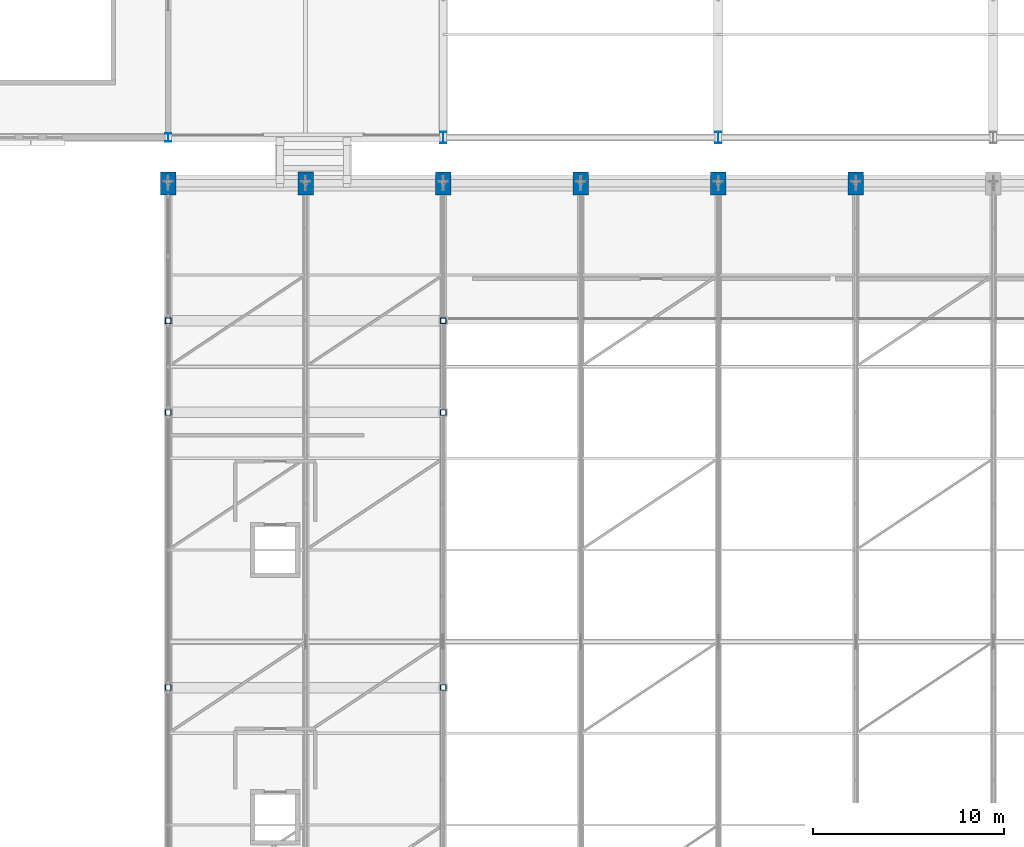
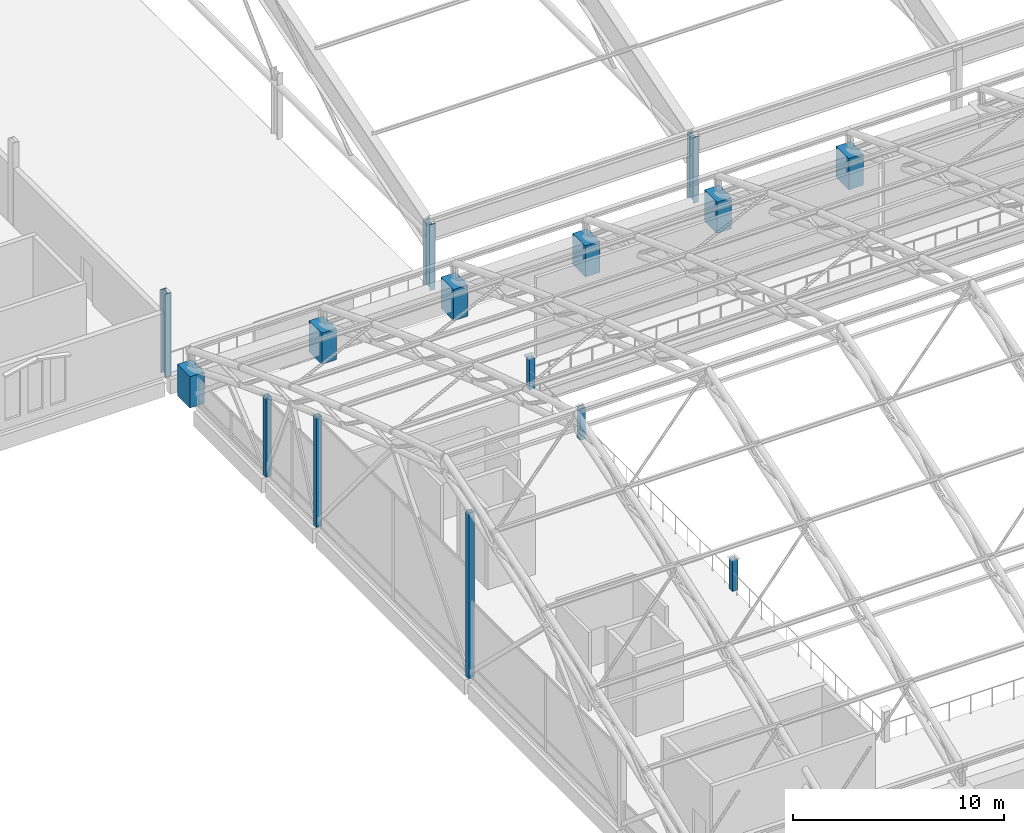
# One storey, part 7 of 116: 15 columns.
"""IFC4 building model written with IfcOpenShell, lengths in metres."""

import ifcopenshell
import ifcopenshell.guid

model = None  # the IFC model being written
_history = None  # IfcOwnerHistory: only IFC2X3 demands one
_inside = {}  # id of a spatial element -> (the spatial element, [elements in it])
_under = {}  # id of a project, library or spatial element -> (it, [spatial elements below it])
_declared = {}  # id of a project -> (the project, [libraries it declares])
_typed = {}  # id of a type object -> (the type object, [elements of that type])
_made_of = {}  # id of a material, layer set ... -> (it, [elements and type objects made of it])


def new_model(schema):
    """Start an empty IFC model of exactly this schema.

    Asked for "IFC4X3", IfcOpenShell would pick the latest addendum, in which some entities
    have other attributes; the version numbers below select the first issue.
    IFC2X3 requires an IfcOwnerHistory on every rooted entity: one is made here for all.
    """
    global model, _history
    if schema == "IFC4X3":
        model = ifcopenshell.file(schema_version=(4, 3, 0, 0))
    else:
        model = ifcopenshell.file(schema=schema)
    _inside.clear()
    _under.clear()
    _declared.clear()
    _typed.clear()
    _made_of.clear()
    _history = None
    if model.schema == "IFC2X3":
        org = make("IfcOrganization", Name="unknown")
        user = make(
            "IfcPersonAndOrganization",
            ThePerson=make("IfcPerson", FamilyName="unknown"),
            TheOrganization=org,
        )
        app = make(
            "IfcApplication",
            ApplicationDeveloper=org,
            Version="unknown",
            ApplicationFullName="unknown",
            ApplicationIdentifier="unknown",
        )
        _history = make(
            "IfcOwnerHistory",
            OwningUser=user,
            OwningApplication=app,
            ChangeAction="ADDED",
            CreationDate=0,
        )
    return model


def make(cls, **values):
    """One entity of the class cls with the attributes given. An attribute that is None is left unset."""
    return model.create_entity(
        cls, **{name: value for name, value in values.items() if value is not None}
    )


def rooted(cls, **values):
    """An entity with a GlobalId (a new one), such as an element, a storey or a relation."""
    return make(cls, GlobalId=ifcopenshell.guid.new(), OwnerHistory=_history, **values)


def si_unit(unit_type, name, prefix=None):
    """IfcSIUnit, for example si_unit("LENGTHUNIT", "METRE", prefix="MILLI")."""
    return make("IfcSIUnit", UnitType=unit_type, Prefix=prefix, Name=name)


def assignment(units):
    """IfcUnitAssignment: the units of a project."""
    return None if units is None else make("IfcUnitAssignment", Units=units)


def point(xyz):
    """IfcCartesianPoint."""
    return None if xyz is None else make("IfcCartesianPoint", Coordinates=xyz)


def direction(xyz):
    """IfcDirection."""
    return None if xyz is None else make("IfcDirection", DirectionRatios=xyz)


def frame(location, z_axis=None, x_axis=None):
    """IfcAxis2Placement3D, a coordinate frame: its origin and axes. An axis left out is left unset."""
    return make(
        "IfcAxis2Placement3D",
        Location=point(location),
        Axis=direction(z_axis),
        RefDirection=direction(x_axis),
    )


def frame_2d(location, x_axis=None):
    """IfcAxis2Placement2D, a coordinate frame in the plane: its origin and x axis."""
    return make(
        "IfcAxis2Placement2D", Location=point(location), RefDirection=direction(x_axis)
    )


def origin():
    """The frame at (0, 0, 0) with its axes left unset."""
    return frame((0.0, 0.0, 0.0))


def origin_2d():
    """The frame at (0, 0) in the plane with its x axis left unset."""
    return frame_2d((0.0, 0.0))


def place(relative_to, where):
    """IfcLocalPlacement: puts the frame where relative to a parent placement (None: the world)."""
    return make(
        "IfcLocalPlacement", PlacementRelTo=relative_to, RelativePlacement=where
    )


def context(
    kind, dimensions, precision=None, world=None, true_north=None, identifier=None
):
    """IfcGeometricRepresentationContext, for example the 3D "Model" context."""
    return make(
        "IfcGeometricRepresentationContext",
        ContextIdentifier=identifier,
        ContextType=kind,
        CoordinateSpaceDimension=dimensions,
        Precision=precision,
        WorldCoordinateSystem=world,
        TrueNorth=true_north,
    )


def subcontext(parent, identifier, kind, view, scale=None):
    """IfcGeometricRepresentationSubContext, for example "Body" below "Model"."""
    return make(
        "IfcGeometricRepresentationSubContext",
        ContextIdentifier=identifier,
        ContextType=kind,
        ParentContext=parent,
        TargetScale=scale,
        TargetView=view,
    )


def project(units=None, contexts=None):
    """IfcProject with its units and contexts."""
    return rooted(
        "IfcProject",
        Name="project",
        RepresentationContexts=contexts,
        UnitsInContext=assignment(units),
    )


def spatial(cls, under=None, at=None, **own):
    """A site, building, storey or space (cls), placed at a placement, below another one or the project."""
    s = rooted(cls, ObjectPlacement=at, **own)
    if under is not None:
        _under.setdefault(under.id(), (under, []))[1].append(s)
    return s


def profile(cls, at=None, kind="AREA", **sizes):
    """A parametric profile (cls). Its sizes go by their IFC names, for example OverallWidth=200.0."""
    return make(cls, ProfileType=kind, Position=at, **sizes)


def rectangle(**sizes):
    """IfcRectangleProfileDef."""
    return profile("IfcRectangleProfileDef", **sizes)


def hollow_rectangle(**sizes):
    """IfcRectangleHollowProfileDef."""
    return profile("IfcRectangleHollowProfileDef", **sizes)


def i_section(**sizes):
    """IfcIShapeProfileDef."""
    return profile("IfcIShapeProfileDef", **sizes)


def extrude(swept, where, along, depth):
    """IfcExtrudedAreaSolid: the profile swept, set in the frame where, extruded along a direction by depth."""
    return make(
        "IfcExtrudedAreaSolid",
        SweptArea=swept,
        Position=where,
        ExtrudedDirection=direction(along),
        Depth=depth,
    )


def shape(context_of_items, identifier, shape_type, items):
    """IfcShapeRepresentation: the items that make up one representation, for example the "Body"."""
    return make(
        "IfcShapeRepresentation",
        ContextOfItems=context_of_items,
        RepresentationIdentifier=identifier,
        RepresentationType=shape_type,
        Items=items,
    )


def material(Name=None, Category=None):
    """IfcMaterial."""
    return make("IfcMaterial", Name=Name, Category=Category)


def material_profile(
    of_material, cross_section, Name=None, Category=None, Priority=None
):
    """IfcMaterialProfile: a cross section and its material."""
    return make(
        "IfcMaterialProfile",
        Name=Name,
        Material=of_material,
        Profile=cross_section,
        Priority=Priority,
        Category=Category,
    )


def profile_set(profiles, Name=None, composite=None):
    """IfcMaterialProfileSet."""
    return make(
        "IfcMaterialProfileSet",
        Name=Name,
        MaterialProfiles=profiles,
        CompositeProfile=composite,
    )


def made_of(thing, what):
    """Note that an element or type object is made of a material, layer set ...; save() writes the relation."""
    if what is not None:
        _made_of.setdefault(what.id(), (what, []))[1].append(thing)
    return thing


def type_object(cls, material=None, **own):
    """A type object (cls), such as IfcWallType, which elements share."""
    return made_of(rooted(cls, **own), material)


def element(
    cls,
    number,
    at=None,
    inside=None,
    cuts=None,
    type_object=None,
    material=None,
    context=None,
    identifier="Body",
    shape_type=None,
    held_by="IfcProductDefinitionShape",
    body=None,
    shapes=None,
    **own,
):
    """One element of the class cls, such as IfcWall. Its Tag is "e" and its number.

    at: its placement. inside: the storey or other place that contains it. cuts: it is an
    opening in that element (IfcRelVoidsElement). A single representation is given by context,
    identifier, shape_type and body (its items); several are given by shapes. held_by: the class
    of the entity that holds the representations. save() writes the other relations.
    """
    e = rooted(cls, Tag="e%d" % number, ObjectPlacement=at, **own)
    if body is not None:
        shapes = [shape(context, identifier, shape_type, body)]
    if shapes is not None:
        e.Representation = make(held_by, Representations=shapes)
    if inside is not None:
        _inside.setdefault(inside.id(), (inside, []))[1].append(e)
    if cuts is not None:
        rooted(
            "IfcRelVoidsElement", RelatingBuildingElement=cuts, RelatedOpeningElement=e
        )
    if type_object is not None:
        _typed.setdefault(type_object.id(), (type_object, []))[1].append(e)
    return made_of(e, material)


def aggregate(whole, parts):
    """IfcRelAggregates: a whole, such as a stair, and the parts it consists of."""
    return rooted("IfcRelAggregates", RelatingObject=whole, RelatedObjects=parts)


def save(model, path):
    """Write the relations noted so far, then the file.

    IfcRelAggregates (storeys below a building ...), IfcRelContainedInSpatialStructure (elements
    in a storey), IfcRelDefinesByType, IfcRelAssociatesMaterial and IfcRelDeclares: one each for
    every whole, place, type object, material and project.
    """
    for whole, parts in _under.values():
        aggregate(whole, parts)
    for where, things in _inside.values():
        rooted(
            "IfcRelContainedInSpatialStructure",
            RelatedElements=things,
            RelatingStructure=where,
        )
    for kind, things in _typed.values():
        rooted("IfcRelDefinesByType", RelatedObjects=things, RelatingType=kind)
    for what, things in _made_of.values():
        rooted("IfcRelAssociatesMaterial", RelatedObjects=things, RelatingMaterial=what)
    for by, libraries in _declared.values():
        rooted("IfcRelDeclares", RelatingContext=by, RelatedDefinitions=libraries)
    model.write(path)


model = new_model("IFC4")

# Units and contexts
model_context = context("Model", 3, precision=1e-05, world=origin(), true_north=direction((0.0, 1.0)))
body_context = subcontext(model_context, "Body", "Model", "MODEL_VIEW")
ifc_project = project(units=[si_unit("LENGTHUNIT", "METRE"), si_unit("AREAUNIT", "SQUARE_METRE"), si_unit("VOLUMEUNIT", "CUBIC_METRE"), si_unit("PLANEANGLEUNIT", "RADIAN"), si_unit("MASSUNIT", "GRAM", prefix="KILO")], contexts=[model_context])

# Site, building, storey
site_placement = place(None, origin())
site = spatial("IfcSite", under=ifc_project, at=site_placement, CompositionType="ELEMENT")
building_placement = place(site_placement, origin())
building = spatial("IfcBuilding", under=site, at=building_placement, Name="Cendralis Lancet Convention Centre", CompositionType="ELEMENT")
storey_placement = place(building_placement, frame((0.0, 0.0, 15.0)))
storey = spatial("IfcBuildingStorey", under=building, at=storey_placement, Name="L03", CompositionType="ELEMENT", Elevation=15.0)

# Columns
ifc_material_1 = material(Name="Concrete G40 (C40/50)", Category="concrete")
ifc_material_profile_1 = material_profile(ifc_material_1, rectangle(XDim=0.800048828125, YDim=1.199951171875, at=origin_2d()), Name="RC 800x1200")
ifc_profile_set_1 = profile_set([ifc_material_profile_1], Name="Concrete G40 (C40/50)")
column_type_1 = type_object("IfcColumnType", Name="STR-COL-C15", PredefinedType="COLUMN", material=ifc_profile_set_1)
for number, where, z_axis, x_axis, name in (
    (1, (139.199951171875, 91.199951171875, 0.0), (0.0, 0.0, 1.0), (1.0, 0.0, 0.0), "L03 Column C15 at 139.2,91.2"),
    (2, (146.39990234375, 91.199951171875, 0.0), (0.0, 0.0, 1.0), (1.0, 0.0, 0.0), "L03 Column C15 at 146.4,91.2"),
    (3, (153.60009765625, 91.199951171875, 0.0), (0.0, 0.0, 1.0), (1.0, 0.0, 0.0), "L03 Column C15 at 153.6,91.2"),
    (4, (160.800048828125, 91.199951171875, 0.0), (0.0, 0.0, 1.0), (1.0, 0.0, 0.0), "L03 Column C15 at 160.8,91.2"),
    (5, (168.0, 91.199951171875, 0.0), (0.0, 0.0, 1.0), (1.0, 0.0, 0.0), "L03 Column C15 at 168.0,91.2"),
    (6, (175.199951171875, 91.199951171875, 0.0), (0.0, 0.0, 1.0), (1.0, 0.0, 0.0), "L03 Column C15 at 175.2,91.2"),
):
    element("IfcColumn", number, at=place(storey_placement, frame(where, z_axis=z_axis, x_axis=x_axis)), inside=storey, type_object=column_type_1, Name=name, PredefinedType="COLUMN", context=body_context, shape_type="SweptSolid", body=[
        extrude(rectangle(XDim=0.800048828125, YDim=1.199951171875, at=origin_2d()), origin(), (0.0, 0.0, 1.0), 1.800048828125),
    ])
ifc_material_2 = material(Name="Steel S355", Category="steel")
ifc_material_profile_2 = material_profile(ifc_material_2, i_section(OverallWidth=0.300048828125, OverallDepth=0.60009765625, WebThickness=0.015380859375, FlangeThickness=0.030029296875, FilletRadius=0.027099609375, at=origin_2d()), Name="HEB 600")
ifc_profile_set_2 = profile_set([ifc_material_profile_2], Name="Steel S355")
column_type_2 = type_object("IfcColumnType", Name="STR-COL-C21", PredefinedType="COLUMN", material=ifc_profile_set_2)
for number, where, z_axis, x_axis, name in (
    (7, (153.60009765625, 93.60009765625, 0.0), (0.0, 0.0, 1.0), (1.0, 0.0, 0.0), "L03 Column C21 at 153.6,93.6"),
    (8, (168.0, 93.60009765625, 0.0), (0.0, 0.0, 1.0), (1.0, 0.0, 0.0), "L03 Column C21 at 168.0,93.6"),
):
    element("IfcColumn", number, at=place(storey_placement, frame(where, z_axis=z_axis, x_axis=x_axis)), inside=storey, type_object=column_type_2, Name=name, PredefinedType="COLUMN", context=body_context, shape_type="SweptSolid", body=[
        extrude(i_section(OverallWidth=0.300048828125, OverallDepth=0.60009765625, WebThickness=0.015380859375, FlangeThickness=0.030029296875, FilletRadius=0.027099609375, at=origin_2d()), origin(), (0.0, 0.0, 1.0), 3.800048828125),
    ])
ifc_material_profile_3 = material_profile(ifc_material_2, i_section(OverallWidth=0.300048828125, OverallDepth=0.449951171875, WebThickness=0.013916015625, FlangeThickness=0.02587890625, FilletRadius=0.027099609375, at=origin_2d()), Name="HEB 450")
ifc_profile_set_3 = profile_set([ifc_material_profile_3], Name="Steel S355")
column_type_3 = type_object("IfcColumnType", Name="STR-COL-C24", PredefinedType="COLUMN", material=ifc_profile_set_3)
column_1_placement = place(storey_placement, frame((139.199951171875, 93.60009765625, 0.0), z_axis=(0.0, 0.0, 1.0), x_axis=(1.0, 0.0, 0.0)))
element("IfcColumn", 9, at=column_1_placement, inside=storey, type_object=column_type_3, Name="L03 Column C24 at 139.2,93.6", PredefinedType="COLUMN", context=body_context, shape_type="SweptSolid", body=[
    extrude(i_section(OverallWidth=0.300048828125, OverallDepth=0.449951171875, WebThickness=0.013916015625, FlangeThickness=0.02587890625, FilletRadius=0.027099609375, at=origin_2d()), origin(), (0.0, 0.0, 1.0), 4.800048828125),
])
ifc_material_profile_4 = material_profile(ifc_material_2, hollow_rectangle(XDim=0.300048828125, YDim=0.300048828125, WallThickness=0.01611328125, at=origin_2d()), Name="SHS 300x300x16.0")
ifc_profile_set_4 = profile_set([ifc_material_profile_4], Name="Steel S355")
column_type_4 = type_object("IfcColumnType", Name="STR-COL-C30", PredefinedType="COLUMN", material=ifc_profile_set_4)
column_2_placement = place(storey_placement, frame((139.199951171875, 64.800048828125, 0.0), z_axis=(0.0, 0.0, 1.0), x_axis=(1.0, 0.0, 0.0)))
element("IfcColumn", 10, at=column_2_placement, inside=storey, type_object=column_type_4, Name="L03 Column C30 at 139.2,64.8", PredefinedType="COLUMN", context=body_context, shape_type="SweptSolid", body=[
    extrude(hollow_rectangle(XDim=0.300048828125, YDim=0.300048828125, WallThickness=0.01611328125, at=origin_2d()), origin(), (0.0, 0.0, 1.0), 9.55908203125),
])
column_3_placement = place(storey_placement, frame((139.199951171875, 79.199951171875, 0.0), z_axis=(0.0, 0.0, 1.0), x_axis=(1.0, 0.0, 0.0)))
element("IfcColumn", 11, at=column_3_placement, inside=storey, type_object=column_type_4, Name="L03 Column C30 at 139.2,79.2", PredefinedType="COLUMN", context=body_context, shape_type="SweptSolid", body=[
    extrude(hollow_rectangle(XDim=0.300048828125, YDim=0.300048828125, WallThickness=0.01611328125, at=origin_2d()), origin(), (0.0, 0.0, 1.0), 6.35498046875),
])
column_4_placement = place(storey_placement, frame((139.199951171875, 84.0, 0.0), z_axis=(0.0, 0.0, 1.0), x_axis=(1.0, 0.0, 0.0)))
element("IfcColumn", 12, at=column_4_placement, inside=storey, type_object=column_type_4, Name="L03 Column C30 at 139.2,84.0", PredefinedType="COLUMN", context=body_context, shape_type="SweptSolid", body=[
    extrude(hollow_rectangle(XDim=0.300048828125, YDim=0.300048828125, WallThickness=0.01611328125, at=origin_2d()), origin(), (0.0, 0.0, 1.0), 4.596923828125),
])
ifc_material_profile_5 = material_profile(ifc_material_2, hollow_rectangle(XDim=0.300048828125, YDim=0.300048828125, WallThickness=0.01611328125, at=origin_2d()), Name="SHS 300x300x16.0")
ifc_profile_set_5 = profile_set([ifc_material_profile_5], Name="Steel S355")
column_type_5 = type_object("IfcColumnType", Name="STR-COL-C30-INT", PredefinedType="COLUMN", material=ifc_profile_set_5)
for number, where, z_axis, x_axis, name in (
    (13, (153.60009765625, 64.800048828125, 0.0), (0.0, 0.0, 1.0), (1.0, 0.0, 0.0), "L03 Column C30 at 153.6,64.8"),
    (14, (153.60009765625, 79.199951171875, 0.0), (0.0, 0.0, 1.0), (1.0, 0.0, 0.0), "L03 Column C30 at 153.6,79.2"),
    (15, (153.60009765625, 84.0, 0.0), (0.0, 0.0, 1.0), (1.0, 0.0, 0.0), "L03 Column C30 at 153.6,84.0"),
):
    element("IfcColumn", number, at=place(storey_placement, frame(where, z_axis=z_axis, x_axis=x_axis)), inside=storey, type_object=column_type_5, Name=name, PredefinedType="COLUMN", context=body_context, shape_type="SweptSolid", body=[
        extrude(hollow_rectangle(XDim=0.300048828125, YDim=0.300048828125, WallThickness=0.01611328125, at=origin_2d()), origin(), (0.0, 0.0, 1.0), 1.800048828125),
    ])

save(model, "model.ifc")
